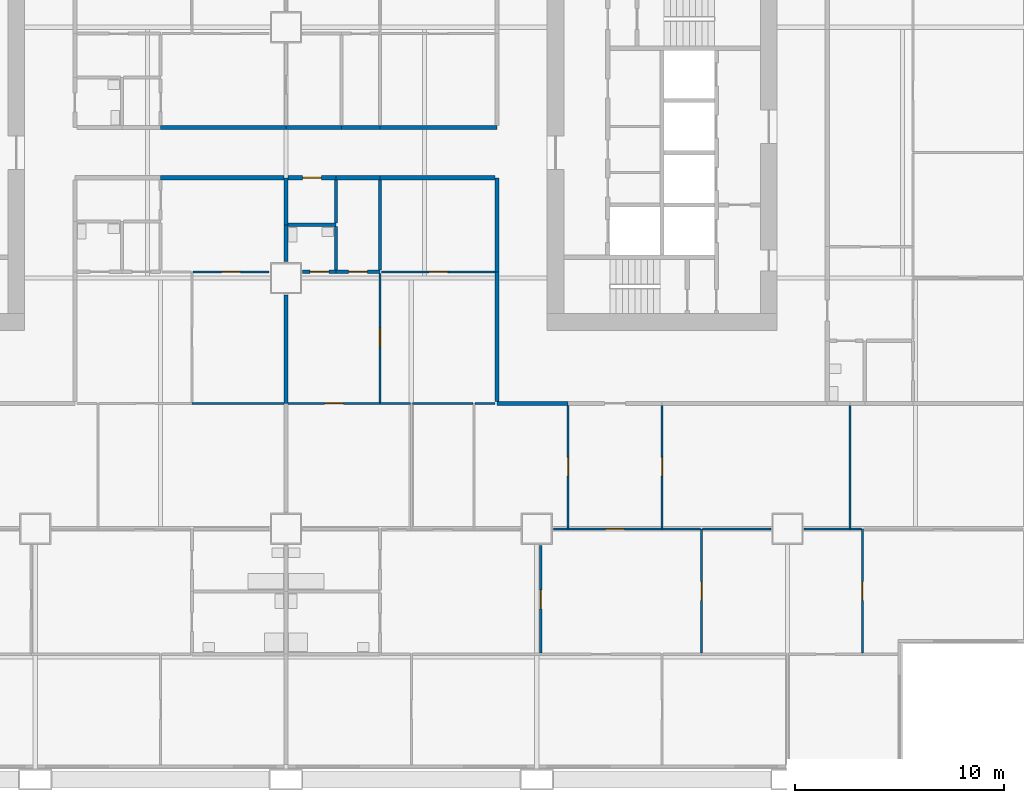
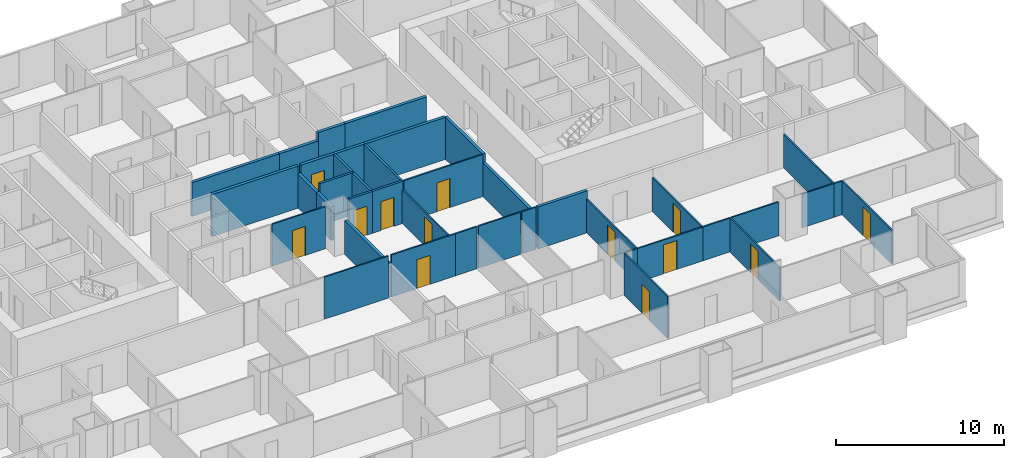
# One storey, part 6 of 14: 40 walls, 13 doors, 13 openings.
"""IFC4 building model written with IfcOpenShell, lengths in metres."""

from ifc_helpers import new_model, si_unit, direction, frame, frame_2d, origin, place, context, subcontext, project, spatial, rectangle, extrude, material, layer, layer_set, type_object, element, fill, save


model = new_model("IFC4")

# Units and contexts
model_context = context("Model", 3, precision=1e-05, world=origin(), true_north=direction((0.0, 1.0)))
body_context = subcontext(model_context, "Body", "Model", "MODEL_VIEW")
ifc_project = project(units=[si_unit("LENGTHUNIT", "METRE"), si_unit("AREAUNIT", "SQUARE_METRE"), si_unit("VOLUMEUNIT", "CUBIC_METRE"), si_unit("PLANEANGLEUNIT", "RADIAN"), si_unit("MASSUNIT", "GRAM", prefix="KILO")], contexts=[model_context])

# Site, building, storey
site_placement = place(None, origin())
site = spatial("IfcSite", under=ifc_project, at=site_placement, CompositionType="ELEMENT")
building_placement = place(site_placement, origin())
building = spatial("IfcBuilding", under=site, at=building_placement, Name="Kitamizu Gate Tower and Museum", CompositionType="ELEMENT")
storey_placement = place(building_placement, frame((0.0, 0.0, 61.050048828125)))
storey = spatial("IfcBuildingStorey", under=building, at=storey_placement, Name="L14", CompositionType="ELEMENT", Elevation=61.050048828125)

# Wall
ifc_material_1 = material(Name="Gypsum board on galvanised stud")
ifc_layer_1 = layer(ifc_material_1, 0.10009765625)
ifc_layer_set_1 = layer_set([ifc_layer_1], Name="Gypsum board on galvanised stud")
wall_type_1 = type_object("IfcWallType", Name="Partition 100 NOT RATED", PredefinedType="PARTITIONING", material=ifc_layer_set_1)
wall_1_placement = place(storey_placement, frame((35.89990234375, 18.0, 0.0), z_axis=(0.0, 0.0, 1.0), x_axis=(-1.0, 0.0, 0.0)))
element("IfcWall", 1, at=wall_1_placement, inside=storey, type_object=wall_type_1, Name="Partition L14-050", PredefinedType="PARTITIONING", context=body_context, shape_type="SweptSolid", body=[
    extrude(rectangle(XDim=4.39990234375, YDim=0.10009765625, at=frame_2d((2.199951171875, 0.0))), origin(), (0.0, 0.0, 1.0), 3.050048828125),
])

# Wall, opening, door
wall_2_placement = place(storey_placement, frame((35.199951171875, 24.300048828125, 0.0), z_axis=(0.0, 0.0, 1.0), x_axis=(-1.0, 0.0, 0.0)))
wall_2 = element("IfcWall", 2, at=wall_2_placement, inside=storey, type_object=wall_type_1, Name="Partition L14-058", PredefinedType="PARTITIONING", context=body_context, shape_type="SweptSolid", body=[
    extrude(rectangle(XDim=3.64990234375, YDim=0.10009765625, at=frame_2d((1.824951171875, 0.0))), origin(), (0.0, 0.0, 1.0), 3.050048828125),
])
opening_1_placement = place(wall_2_placement, frame((1.375, 0.0, 0.0)))
opening_1 = element("IfcOpeningElement", 3, at=opening_1_placement, cuts=wall_2, Name="Opening L14-023", PredefinedType="OPENING", context=body_context, shape_type="SweptSolid", body=[
    extrude(rectangle(XDim=0.89990234375, YDim=2.10009765625, at=frame_2d((0.449951171875, 1.050048828125))), frame((0.0, 0.06005859375, 0.0), z_axis=(0.0, -1.0, 0.0), x_axis=(1.0, 0.0, 0.0)), (0.0, 0.0, 1.0), 0.1201171875),
])
ifc_material_2 = material(Name="Timber door set", Category="wood")
door_type_1 = type_object("IfcDoorType", Name="Room door 900", OperationType="NOTDEFINED", PredefinedType="DOOR", material=ifc_material_2)
door_1_placement = place(opening_1_placement, frame((0.89990234375, 0.0, 0.0), x_axis=(-1.0, 0.0, 0.0)))
door_1 = element("IfcDoor", 4, at=door_1_placement, inside=storey, type_object=door_type_1, Name="Door L14-023", OperationType="SINGLE_SWING_LEFT", OverallHeight=2.10009765625, OverallWidth=0.89990234375, PredefinedType="DOOR", context=body_context, shape_type="SweptSolid", body=[
    extrude(rectangle(XDim=0.89990234375, YDim=2.10009765625, at=frame_2d((0.449951171875, 1.050048828125))), frame((0.0, 0.02490234375, 0.0), z_axis=(0.0, -1.0, 0.0), x_axis=(1.0, 0.0, 0.0)), (0.0, 0.0, 1.0), 0.050048828125),
])
fill(opening_1, door_1)

wall_3_placement = place(storey_placement, frame((48.195068359375, 6.050048828125, 0.0), z_axis=(0.0, 0.0, 1.0), x_axis=(0.0, 1.0, 0.0)))
wall_3 = element("IfcWall", 5, at=wall_3_placement, inside=storey, type_object=wall_type_1, Name="Partition L14-086", PredefinedType="PARTITIONING", context=body_context, shape_type="SweptSolid", body=[
    extrude(rectangle(XDim=5.14990234375, YDim=0.10009765625, at=frame_2d((2.574951171875, 0.0))), origin(), (0.0, 0.0, 1.0), 3.050048828125),
])
opening_2_placement = place(wall_3_placement, frame((2.125, 0.0, 0.0)))
opening_2 = element("IfcOpeningElement", 6, at=opening_2_placement, cuts=wall_3, Name="Opening L14-028", PredefinedType="OPENING", context=body_context, shape_type="SweptSolid", body=[
    extrude(rectangle(XDim=0.89990234375, YDim=2.10009765625, at=frame_2d((0.449951171875, 1.050048828125))), frame((0.0, 0.06005859375, 0.0), z_axis=(0.0, -1.0, 0.0), x_axis=(1.0, 0.0, 0.0)), (0.0, 0.0, 1.0), 0.1201171875),
])
door_2_placement = place(opening_2_placement, frame((0.89990234375, 0.0, 0.0), x_axis=(-1.0, 0.0, 0.0)))
door_2 = element("IfcDoor", 7, at=door_2_placement, inside=storey, type_object=door_type_1, Name="Door L14-028", OperationType="SINGLE_SWING_RIGHT", OverallHeight=2.10009765625, OverallWidth=0.89990234375, PredefinedType="DOOR", context=body_context, shape_type="SweptSolid", body=[
    extrude(rectangle(XDim=0.89990234375, YDim=2.10009765625, at=frame_2d((0.449951171875, 1.050048828125))), frame((0.0, 0.02490234375, 0.0), z_axis=(0.0, -1.0, 0.0), x_axis=(1.0, 0.0, 0.0)), (0.0, 0.0, 1.0), 0.050048828125),
])
fill(opening_2, door_2)

wall_4_placement = place(storey_placement, frame((55.889892578125, 6.050048828125, 0.0), z_axis=(0.0, 0.0, 1.0), x_axis=(0.0, 1.0, 0.0)))
wall_4 = element("IfcWall", 8, at=wall_4_placement, inside=storey, type_object=wall_type_1, Name="Partition L14-090", PredefinedType="PARTITIONING", context=body_context, shape_type="SweptSolid", body=[
    extrude(rectangle(XDim=5.949951171875, YDim=0.10009765625, at=frame_2d((2.97509765625, 0.0))), origin(), (0.0, 0.0, 1.0), 2.449951171875),
])
opening_3_placement = place(wall_4_placement, frame((2.52490234375, 0.0, 0.0)))
opening_3 = element("IfcOpeningElement", 9, at=opening_3_placement, cuts=wall_4, Name="Opening L14-029", PredefinedType="OPENING", context=body_context, shape_type="SweptSolid", body=[
    extrude(rectangle(XDim=0.89990234375, YDim=2.10009765625, at=frame_2d((0.449951171875, 1.050048828125))), frame((0.0, 0.06005859375, 0.0), z_axis=(0.0, -1.0, 0.0), x_axis=(1.0, 0.0, 0.0)), (0.0, 0.0, 1.0), 0.1201171875),
])
door_3_placement = place(opening_3_placement, frame((0.89990234375, 0.0, 0.0), x_axis=(-1.0, 0.0, 0.0)))
door_3 = element("IfcDoor", 10, at=door_3_placement, inside=storey, type_object=door_type_1, Name="Door L14-029", OperationType="SINGLE_SWING_LEFT", OverallHeight=2.10009765625, OverallWidth=0.89990234375, PredefinedType="DOOR", context=body_context, shape_type="SweptSolid", body=[
    extrude(rectangle(XDim=0.89990234375, YDim=2.10009765625, at=frame_2d((0.449951171875, 1.050048828125))), frame((0.0, 0.02490234375, 0.0), z_axis=(0.0, -1.0, 0.0), x_axis=(1.0, 0.0, 0.0)), (0.0, 0.0, 1.0), 0.050048828125),
])
fill(opening_3, door_3)

# Wall
wall_5_placement = place(storey_placement, frame((49.5, 12.0, 0.0), z_axis=(0.0, 0.0, 1.0), x_axis=(-1.0, 0.0, 0.0)))
element("IfcWall", 11, at=wall_5_placement, inside=storey, type_object=wall_type_1, Name="Partition L14-091", PredefinedType="PARTITIONING", context=body_context, shape_type="SweptSolid", body=[
    extrude(rectangle(XDim=0.699951171875, YDim=0.10009765625, at=frame_2d((0.35009765625, 0.0))), origin(), (0.0, 0.0, 1.0), 2.449951171875),
])

# Wall, opening, door
wall_6_placement = place(storey_placement, frame((54.0, 12.0, 0.0), z_axis=(0.0, 0.0, 1.0), x_axis=(-1.0, 0.0, 0.0)))
wall_6 = element("IfcWall", 12, at=wall_6_placement, inside=storey, type_object=wall_type_1, Name="Partition L14-092", PredefinedType="PARTITIONING", context=body_context, shape_type="SweptSolid", body=[
    extrude(rectangle(XDim=4.5, YDim=0.10009765625, at=frame_2d((2.25, 0.0))), origin(), (0.0, 0.0, 1.0), 2.449951171875),
])
opening_4_placement = place(wall_6_placement, frame((1.800048828125, 0.0, 0.0)))
opening_4 = element("IfcOpeningElement", 13, at=opening_4_placement, cuts=wall_6, Name="Opening L14-026", PredefinedType="OPENING", context=body_context, shape_type="SweptSolid", body=[
    extrude(rectangle(XDim=0.89990234375, YDim=2.10009765625, at=frame_2d((0.449951171875, 1.050048828125))), frame((0.0, 0.06005859375, 0.0), z_axis=(0.0, -1.0, 0.0), x_axis=(1.0, 0.0, 0.0)), (0.0, 0.0, 1.0), 0.1201171875),
])
door_4_placement = place(opening_4_placement, origin())
door_4 = element("IfcDoor", 14, at=door_4_placement, inside=storey, type_object=door_type_1, Name="Door L14-026", OperationType="SINGLE_SWING_LEFT", OverallHeight=2.10009765625, OverallWidth=0.89990234375, PredefinedType="DOOR", context=body_context, shape_type="SweptSolid", body=[
    extrude(rectangle(XDim=0.89990234375, YDim=2.10009765625, at=frame_2d((0.449951171875, 1.050048828125))), frame((0.0, 0.02490234375, 0.0), z_axis=(0.0, -1.0, 0.0), x_axis=(1.0, 0.0, 0.0)), (0.0, 0.0, 1.0), 0.050048828125),
])
fill(opening_4, door_4)

# Wall
wall_7_placement = place(storey_placement, frame((55.840087890625, 12.0, 0.0), z_axis=(0.0, 0.0, 1.0), x_axis=(-1.0, 0.0, 0.0)))
element("IfcWall", 15, at=wall_7_placement, inside=storey, type_object=wall_type_1, Name="Partition L14-093", PredefinedType="PARTITIONING", context=body_context, shape_type="SweptSolid", body=[
    extrude(rectangle(XDim=1.840087890625, YDim=0.10009765625, at=frame_2d((0.919921875, 0.0))), origin(), (0.0, 0.0, 1.0), 2.449951171875),
])

# Wall, opening, door
wall_8_placement = place(storey_placement, frame((63.5849609375, 6.050048828125, 0.0), z_axis=(0.0, 0.0, 1.0), x_axis=(0.0, 1.0, 0.0)))
wall_8 = element("IfcWall", 16, at=wall_8_placement, inside=storey, type_object=wall_type_1, Name="Partition L14-094", PredefinedType="PARTITIONING", context=body_context, shape_type="SweptSolid", body=[
    extrude(rectangle(XDim=5.949951171875, YDim=0.10009765625, at=frame_2d((2.97509765625, 0.0))), origin(), (0.0, 0.0, 1.0), 2.449951171875),
])
opening_5_placement = place(wall_8_placement, frame((2.52490234375, 0.0, 0.0)))
opening_5 = element("IfcOpeningElement", 17, at=opening_5_placement, cuts=wall_8, Name="Opening L14-030", PredefinedType="OPENING", context=body_context, shape_type="SweptSolid", body=[
    extrude(rectangle(XDim=0.89990234375, YDim=2.10009765625, at=frame_2d((0.449951171875, 1.050048828125))), frame((0.0, 0.06005859375, 0.0), z_axis=(0.0, -1.0, 0.0), x_axis=(1.0, 0.0, 0.0)), (0.0, 0.0, 1.0), 0.1201171875),
])
door_5_placement = place(opening_5_placement, frame((0.89990234375, 0.0, 0.0), x_axis=(-1.0, 0.0, 0.0)))
door_5 = element("IfcDoor", 18, at=door_5_placement, inside=storey, type_object=door_type_1, Name="Door L14-030", OperationType="SINGLE_SWING_RIGHT", OverallHeight=2.10009765625, OverallWidth=0.89990234375, PredefinedType="DOOR", context=body_context, shape_type="SweptSolid", body=[
    extrude(rectangle(XDim=0.89990234375, YDim=2.10009765625, at=frame_2d((0.449951171875, 1.050048828125))), frame((0.0, 0.02490234375, 0.0), z_axis=(0.0, -1.0, 0.0), x_axis=(1.0, 0.0, 0.0)), (0.0, 0.0, 1.0), 0.050048828125),
])
fill(opening_5, door_5)

# Walls
wall_9_placement = place(storey_placement, frame((59.199951171875, 12.0, 0.0), z_axis=(0.0, 0.0, 1.0), x_axis=(-1.0, 0.0, 0.0)))
element("IfcWall", 19, at=wall_9_placement, inside=storey, type_object=wall_type_1, Name="Partition L14-095", PredefinedType="PARTITIONING", context=body_context, shape_type="SweptSolid", body=[
    extrude(rectangle(XDim=3.260009765625, YDim=0.10009765625, at=frame_2d((1.6298828125, 0.0))), origin(), (0.0, 0.0, 1.0), 2.449951171875),
])
wall_10_placement = place(storey_placement, frame((63.0, 12.0, 0.0), z_axis=(0.0, 0.0, 1.0), x_axis=(-1.0, 0.0, 0.0)))
element("IfcWall", 20, at=wall_10_placement, inside=storey, type_object=wall_type_1, Name="Partition L14-096", PredefinedType="PARTITIONING", context=body_context, shape_type="SweptSolid", body=[
    extrude(rectangle(XDim=2.199951171875, YDim=0.10009765625, at=frame_2d((1.10009765625, 0.0))), origin(), (0.0, 0.0, 1.0), 2.449951171875),
])
wall_11_placement = place(storey_placement, frame((63.534912109375, 12.0, 0.0), z_axis=(0.0, 0.0, 1.0), x_axis=(-1.0, 0.0, 0.0)))
element("IfcWall", 21, at=wall_11_placement, inside=storey, type_object=wall_type_1, Name="Partition L14-097", PredefinedType="PARTITIONING", context=body_context, shape_type="SweptSolid", body=[
    extrude(rectangle(XDim=0.534912109375, YDim=0.10009765625, at=frame_2d((0.267578125, 0.0))), origin(), (0.0, 0.0, 1.0), 2.449951171875),
])

# Wall, opening, door
wall_12_placement = place(storey_placement, frame((40.5, 18.0, 0.0), z_axis=(0.0, 0.0, 1.0), x_axis=(-1.0, 0.0, 0.0)))
wall_12 = element("IfcWall", 22, at=wall_12_placement, inside=storey, type_object=wall_type_1, Name="Partition L14-100", PredefinedType="PARTITIONING", context=body_context, shape_type="SweptSolid", body=[
    extrude(rectangle(XDim=4.39990234375, YDim=0.10009765625, at=frame_2d((2.199951171875, 0.0))), origin(), (0.0, 0.0, 1.0), 3.050048828125),
])
opening_6_placement = place(wall_12_placement, frame((1.75, 0.0, 0.0)))
opening_6 = element("IfcOpeningElement", 23, at=opening_6_placement, cuts=wall_12, Name="Opening L14-041", PredefinedType="OPENING", context=body_context, shape_type="SweptSolid", body=[
    extrude(rectangle(XDim=0.89990234375, YDim=2.10009765625, at=frame_2d((0.449951171875, 1.050048828125))), frame((0.0, 0.06005859375, 0.0), z_axis=(0.0, -1.0, 0.0), x_axis=(1.0, 0.0, 0.0)), (0.0, 0.0, 1.0), 0.1201171875),
])
door_6_placement = place(opening_6_placement, frame((0.89990234375, 0.0, 0.0), x_axis=(-1.0, 0.0, 0.0)))
door_6 = element("IfcDoor", 24, at=door_6_placement, inside=storey, type_object=door_type_1, Name="Door L14-041", OperationType="SINGLE_SWING_LEFT", OverallHeight=2.10009765625, OverallWidth=0.89990234375, PredefinedType="DOOR", context=body_context, shape_type="SweptSolid", body=[
    extrude(rectangle(XDim=0.89990234375, YDim=2.10009765625, at=frame_2d((0.449951171875, 1.050048828125))), frame((0.0, 0.02490234375, 0.0), z_axis=(0.0, -1.0, 0.0), x_axis=(1.0, 0.0, 0.0)), (0.0, 0.0, 1.0), 0.050048828125),
])
fill(opening_6, door_6)

# Walls
wall_13_placement = place(storey_placement, frame((41.949951171875, 18.0, 0.0), z_axis=(0.0, 0.0, 1.0), x_axis=(-1.0, 0.0, 0.0)))
element("IfcWall", 25, at=wall_13_placement, inside=storey, type_object=wall_type_1, Name="Partition L14-101", PredefinedType="PARTITIONING", context=body_context, shape_type="SweptSolid", body=[
    extrude(rectangle(XDim=1.449951171875, YDim=0.10009765625, at=frame_2d((0.72509765625, 0.0))), origin(), (0.0, 0.0, 1.0), 3.050048828125),
])
wall_14_placement = place(storey_placement, frame((44.949951171875, 18.0, 0.0), z_axis=(0.0, 0.0, 1.0), x_axis=(-1.0, 0.0, 0.0)))
element("IfcWall", 26, at=wall_14_placement, inside=storey, type_object=wall_type_1, Name="Partition L14-103", PredefinedType="PARTITIONING", context=body_context, shape_type="SweptSolid", body=[
    extrude(rectangle(XDim=2.89990234375, YDim=0.10009765625, at=frame_2d((1.449951171875, 0.0))), origin(), (0.0, 0.0, 1.0), 3.050048828125),
])

# Wall, opening, door
wall_15_placement = place(storey_placement, frame((49.5, 12.050048828125, 0.0), z_axis=(0.0, 0.0, 1.0), x_axis=(0.0, 1.0, 0.0)))
wall_15 = element("IfcWall", 27, at=wall_15_placement, inside=storey, type_object=wall_type_1, Name="Partition L14-104", PredefinedType="PARTITIONING", context=body_context, shape_type="SweptSolid", body=[
    extrude(rectangle(XDim=5.849853515625, YDim=0.10009765625, at=frame_2d((2.9248046875, 0.0))), origin(), (0.0, 0.0, 1.0), 2.449951171875),
])
opening_7_placement = place(wall_15_placement, frame((2.47509765625, 0.0, 0.0)))
opening_7 = element("IfcOpeningElement", 28, at=opening_7_placement, cuts=wall_15, Name="Opening L14-038", PredefinedType="OPENING", context=body_context, shape_type="SweptSolid", body=[
    extrude(rectangle(XDim=0.89990234375, YDim=2.10009765625, at=frame_2d((0.449951171875, 1.050048828125))), frame((0.0, 0.06005859375, 0.0), z_axis=(0.0, -1.0, 0.0), x_axis=(1.0, 0.0, 0.0)), (0.0, 0.0, 1.0), 0.1201171875),
])
door_7_placement = place(opening_7_placement, origin())
door_7 = element("IfcDoor", 29, at=door_7_placement, inside=storey, type_object=door_type_1, Name="Door L14-038", OperationType="SINGLE_SWING_LEFT", OverallHeight=2.10009765625, OverallWidth=0.89990234375, PredefinedType="DOOR", context=body_context, shape_type="SweptSolid", body=[
    extrude(rectangle(XDim=0.89990234375, YDim=2.10009765625, at=frame_2d((0.449951171875, 1.050048828125))), frame((0.0, 0.02490234375, 0.0), z_axis=(0.0, -1.0, 0.0), x_axis=(1.0, 0.0, 0.0)), (0.0, 0.0, 1.0), 0.050048828125),
])
fill(opening_7, door_7)

# Wall
wall_16_placement = place(storey_placement, frame((46.0, 18.0, 0.0), z_axis=(0.0, 0.0, 1.0), x_axis=(-1.0, 0.0, 0.0)))
element("IfcWall", 30, at=wall_16_placement, inside=storey, type_object=wall_type_1, Name="Partition L14-105", PredefinedType="PARTITIONING", context=body_context, shape_type="SweptSolid", body=[
    extrude(rectangle(XDim=0.949951171875, YDim=0.10009765625, at=frame_2d((0.47509765625, 0.0))), origin(), (0.0, 0.0, 1.0), 3.050048828125),
])

# Wall, opening, door
wall_17_placement = place(storey_placement, frame((54.0, 12.050048828125, 0.0), z_axis=(0.0, 0.0, 1.0), x_axis=(0.0, 1.0, 0.0)))
wall_17 = element("IfcWall", 31, at=wall_17_placement, inside=storey, type_object=wall_type_1, Name="Partition L14-107", PredefinedType="PARTITIONING", context=body_context, shape_type="SweptSolid", body=[
    extrude(rectangle(XDim=5.849853515625, YDim=0.10009765625, at=frame_2d((2.9248046875, 0.0))), origin(), (0.0, 0.0, 1.0), 2.449951171875),
])
opening_8_placement = place(wall_17_placement, frame((2.47509765625, 0.0, 0.0)))
opening_8 = element("IfcOpeningElement", 32, at=opening_8_placement, cuts=wall_17, Name="Opening L14-039", PredefinedType="OPENING", context=body_context, shape_type="SweptSolid", body=[
    extrude(rectangle(XDim=0.89990234375, YDim=2.10009765625, at=frame_2d((0.449951171875, 1.050048828125))), frame((0.0, 0.06005859375, 0.0), z_axis=(0.0, -1.0, 0.0), x_axis=(1.0, 0.0, 0.0)), (0.0, 0.0, 1.0), 0.1201171875),
])
door_8_placement = place(opening_8_placement, frame((0.89990234375, 0.0, 0.0), x_axis=(-1.0, 0.0, 0.0)))
door_8 = element("IfcDoor", 33, at=door_8_placement, inside=storey, type_object=door_type_1, Name="Door L14-039", OperationType="SINGLE_SWING_LEFT", OverallHeight=2.10009765625, OverallWidth=0.89990234375, PredefinedType="DOOR", context=body_context, shape_type="SweptSolid", body=[
    extrude(rectangle(XDim=0.89990234375, YDim=2.10009765625, at=frame_2d((0.449951171875, 1.050048828125))), frame((0.0, 0.02490234375, 0.0), z_axis=(0.0, -1.0, 0.0), x_axis=(1.0, 0.0, 0.0)), (0.0, 0.0, 1.0), 0.050048828125),
])
fill(opening_8, door_8)

# Wall
wall_18_placement = place(storey_placement, frame((63.0, 12.050048828125, 0.0), z_axis=(0.0, 0.0, 1.0), x_axis=(0.0, 1.0, 0.0)))
element("IfcWall", 34, at=wall_18_placement, inside=storey, type_object=wall_type_1, Name="Partition L14-109", PredefinedType="PARTITIONING", context=body_context, shape_type="SweptSolid", body=[
    extrude(rectangle(XDim=5.849853515625, YDim=0.10009765625, at=frame_2d((2.9248046875, 0.0))), origin(), (0.0, 0.0, 1.0), 2.449951171875),
])

# Wall, opening, door
wall_19_placement = place(storey_placement, frame((40.5, 18.050048828125, 0.0), z_axis=(0.0, 0.0, 1.0), x_axis=(0.0, 1.0, 0.0)))
wall_19 = element("IfcWall", 35, at=wall_19_placement, inside=storey, type_object=wall_type_1, Name="Partition L14-115", PredefinedType="PARTITIONING", context=body_context, shape_type="SweptSolid", body=[
    extrude(rectangle(XDim=6.175048828125, YDim=0.10009765625, at=frame_2d((3.08740234375, 0.0))), origin(), (0.0, 0.0, 1.0), 2.449951171875),
])
opening_9_placement = place(wall_19_placement, frame((2.637451171875, 0.0, 0.0)))
opening_9 = element("IfcOpeningElement", 36, at=opening_9_placement, cuts=wall_19, Name="Opening L14-042", PredefinedType="OPENING", context=body_context, shape_type="SweptSolid", body=[
    extrude(rectangle(XDim=0.89990234375, YDim=2.10009765625, at=frame_2d((0.449951171875, 1.050048828125))), frame((0.0, 0.06005859375, 0.0), z_axis=(0.0, -1.0, 0.0), x_axis=(1.0, 0.0, 0.0)), (0.0, 0.0, 1.0), 0.1201171875),
])
door_9_placement = place(opening_9_placement, origin())
door_9 = element("IfcDoor", 37, at=door_9_placement, inside=storey, type_object=door_type_1, Name="Door L14-042", OperationType="SINGLE_SWING_LEFT", OverallHeight=2.10009765625, OverallWidth=0.89990234375, PredefinedType="DOOR", context=body_context, shape_type="SweptSolid", body=[
    extrude(rectangle(XDim=0.89990234375, YDim=2.10009765625, at=frame_2d((0.449951171875, 1.050048828125))), frame((0.0, 0.02490234375, 0.0), z_axis=(0.0, -1.0, 0.0), x_axis=(1.0, 0.0, 0.0)), (0.0, 0.0, 1.0), 0.050048828125),
])
fill(opening_9, door_9)

wall_20_placement = place(storey_placement, frame((46.0, 24.300048828125, 0.0), z_axis=(0.0, 0.0, 1.0), x_axis=(-1.0, 0.0, 0.0)))
wall_20 = element("IfcWall", 38, at=wall_20_placement, inside=storey, type_object=wall_type_1, Name="Partition L14-118", PredefinedType="PARTITIONING", context=body_context, shape_type="SweptSolid", body=[
    extrude(rectangle(XDim=5.425048828125, YDim=0.10009765625, at=frame_2d((2.71240234375, 0.0))), origin(), (0.0, 0.0, 1.0), 3.050048828125),
])
opening_10_placement = place(wall_20_placement, frame((2.262451171875, 0.0, 0.0)))
opening_10 = element("IfcOpeningElement", 39, at=opening_10_placement, cuts=wall_20, Name="Opening L14-045", PredefinedType="OPENING", context=body_context, shape_type="SweptSolid", body=[
    extrude(rectangle(XDim=0.89990234375, YDim=2.10009765625, at=frame_2d((0.449951171875, 1.050048828125))), frame((0.0, 0.06005859375, 0.0), z_axis=(0.0, -1.0, 0.0), x_axis=(1.0, 0.0, 0.0)), (0.0, 0.0, 1.0), 0.1201171875),
])
door_10_placement = place(opening_10_placement, frame((0.89990234375, 0.0, 0.0), x_axis=(-1.0, 0.0, 0.0)))
door_10 = element("IfcDoor", 40, at=door_10_placement, inside=storey, type_object=door_type_1, Name="Door L14-045", OperationType="SINGLE_SWING_LEFT", OverallHeight=2.10009765625, OverallWidth=0.89990234375, PredefinedType="DOOR", context=body_context, shape_type="SweptSolid", body=[
    extrude(rectangle(XDim=0.89990234375, YDim=2.10009765625, at=frame_2d((0.449951171875, 1.050048828125))), frame((0.0, 0.02490234375, 0.0), z_axis=(0.0, -1.0, 0.0), x_axis=(1.0, 0.0, 0.0)), (0.0, 0.0, 1.0), 0.050048828125),
])
fill(opening_10, door_10)

ifc_material_3 = material(Name="Gypsum board on galvanised stud")
ifc_layer_2 = layer(ifc_material_3, 0.14990234375)
ifc_layer_set_2 = layer_set([ifc_layer_2], Name="Gypsum board on galvanised stud")
wall_type_2 = type_object("IfcWallType", Name="Partition 150", PredefinedType="PARTITIONING", material=ifc_layer_set_2)
wall_21_placement = place(storey_placement, frame((38.39990234375, 24.300048828125, 0.0), z_axis=(0.0, 0.0, 1.0), x_axis=(-1.0, 0.0, 0.0)))
wall_21 = element("IfcWall", 41, at=wall_21_placement, inside=storey, type_object=wall_type_2, Name="Partition L14-116", PredefinedType="PARTITIONING", context=body_context, shape_type="SweptSolid", body=[
    extrude(rectangle(XDim=1.599853515625, YDim=0.14990234375, at=frame_2d((0.7998046875, 0.0))), origin(), (0.0, 0.0, 1.0), 3.050048828125),
])
opening_11_placement = place(wall_21_placement, frame((0.35009765625, 0.0, 0.0)))
opening_11 = element("IfcOpeningElement", 42, at=opening_11_placement, cuts=wall_21, Name="Opening L14-043", PredefinedType="OPENING", context=body_context, shape_type="SweptSolid", body=[
    extrude(rectangle(XDim=0.89990234375, YDim=2.10009765625, at=frame_2d((0.449951171875, 1.050048828125))), frame((0.0, 0.0849609375, 0.0), z_axis=(0.0, -1.0, 0.0), x_axis=(1.0, 0.0, 0.0)), (0.0, 0.0, 1.0), 0.169921875),
])
ifc_material_4 = material(Name="Timber door set", Category="wood")
door_type_2 = type_object("IfcDoorType", Name="Bathroom door 900", OperationType="NOTDEFINED", PredefinedType="DOOR", material=ifc_material_4)
door_11_placement = place(opening_11_placement, frame((0.89990234375, 0.0, 0.0), x_axis=(-1.0, 0.0, 0.0)))
door_11 = element("IfcDoor", 43, at=door_11_placement, inside=storey, type_object=door_type_2, Name="Bathroom door L14-043", OperationType="SINGLE_SWING_LEFT", OverallHeight=2.10009765625, OverallWidth=0.89990234375, PredefinedType="DOOR", context=body_context, shape_type="SweptSolid", body=[
    extrude(rectangle(XDim=0.89990234375, YDim=2.10009765625, at=frame_2d((0.449951171875, 1.050048828125))), frame((0.0, 0.02490234375, 0.0), z_axis=(0.0, -1.0, 0.0), x_axis=(1.0, 0.0, 0.0)), (0.0, 0.0, 1.0), 0.050048828125),
])
fill(opening_11, door_11)

wall_22_placement = place(storey_placement, frame((40.5, 24.300048828125, 0.0), z_axis=(0.0, 0.0, 1.0), x_axis=(-1.0, 0.0, 0.0)))
wall_22 = element("IfcWall", 44, at=wall_22_placement, inside=storey, type_object=wall_type_2, Name="Partition L14-117", PredefinedType="PARTITIONING", context=body_context, shape_type="SweptSolid", body=[
    extrude(rectangle(XDim=2.10009765625, YDim=0.14990234375, at=frame_2d((1.050048828125, 0.0))), origin(), (0.0, 0.0, 1.0), 3.050048828125),
])
opening_12_placement = place(wall_22_placement, frame((0.60009765625, 0.0, 0.0)))
opening_12 = element("IfcOpeningElement", 45, at=opening_12_placement, cuts=wall_22, Name="Opening L14-044", PredefinedType="OPENING", context=body_context, shape_type="SweptSolid", body=[
    extrude(rectangle(XDim=0.89990234375, YDim=2.10009765625, at=frame_2d((0.449951171875, 1.050048828125))), frame((0.0, 0.0849609375, 0.0), z_axis=(0.0, -1.0, 0.0), x_axis=(1.0, 0.0, 0.0)), (0.0, 0.0, 1.0), 0.169921875),
])
door_12_placement = place(opening_12_placement, frame((0.89990234375, 0.0, 0.0), x_axis=(-1.0, 0.0, 0.0)))
door_12 = element("IfcDoor", 46, at=door_12_placement, inside=storey, type_object=door_type_2, Name="Bathroom door L14-044", OperationType="SINGLE_SWING_RIGHT", OverallHeight=2.10009765625, OverallWidth=0.89990234375, PredefinedType="DOOR", context=body_context, shape_type="SweptSolid", body=[
    extrude(rectangle(XDim=0.89990234375, YDim=2.10009765625, at=frame_2d((0.449951171875, 1.050048828125))), frame((0.0, 0.02490234375, 0.0), z_axis=(0.0, -1.0, 0.0), x_axis=(1.0, 0.0, 0.0)), (0.0, 0.0, 1.0), 0.050048828125),
])
fill(opening_12, door_12)

# Walls
wall_23_placement = place(storey_placement, frame((38.39990234375, 26.550048828125, 0.0), z_axis=(0.0, 0.0, 1.0), x_axis=(-1.0, 0.0, 0.0)))
element("IfcWall", 47, at=wall_23_placement, inside=storey, type_object=wall_type_2, Name="Partition L14-120", PredefinedType="PARTITIONING", context=body_context, shape_type="SweptSolid", body=[
    extrude(rectangle(XDim=2.2998046875, YDim=0.14990234375, at=frame_2d((1.14990234375, 0.0))), origin(), (0.0, 0.0, 1.0), 3.050048828125),
])
wall_24_placement = place(storey_placement, frame((38.39990234375, 24.375, 0.0), z_axis=(0.0, 0.0, 1.0), x_axis=(0.0, 1.0, 0.0)))
element("IfcWall", 48, at=wall_24_placement, inside=storey, type_object=wall_type_2, Name="Partition L14-121", PredefinedType="PARTITIONING", context=body_context, shape_type="SweptSolid", body=[
    extrude(rectangle(XDim=2.10009765625, YDim=0.14990234375, at=frame_2d((1.050048828125, 0.0))), origin(), (0.0, 0.0, 1.0), 3.050048828125),
])
wall_25_placement = place(storey_placement, frame((38.39990234375, 26.625, 0.0), z_axis=(0.0, 0.0, 1.0), x_axis=(0.0, 1.0, 0.0)))
element("IfcWall", 49, at=wall_25_placement, inside=storey, type_object=wall_type_2, Name="Partition L14-122", PredefinedType="PARTITIONING", context=body_context, shape_type="SweptSolid", body=[
    extrude(rectangle(XDim=2.074951171875, YDim=0.14990234375, at=frame_2d((1.03759765625, 0.0))), origin(), (0.0, 0.0, 1.0), 3.050048828125),
])
wall_26_placement = place(storey_placement, frame((40.5, 24.375, 0.0), z_axis=(0.0, 0.0, 1.0), x_axis=(0.0, 1.0, 0.0)))
element("IfcWall", 50, at=wall_26_placement, inside=storey, type_object=wall_type_2, Name="Partition L14-124", PredefinedType="PARTITIONING", context=body_context, shape_type="SweptSolid", body=[
    extrude(rectangle(XDim=4.324951171875, YDim=0.14990234375, at=frame_2d((2.16259765625, 0.0))), origin(), (0.0, 0.0, 1.0), 3.050048828125),
])
ifc_material_5 = material(Name="Gypsum board on galvanised stud")
ifc_layer_3 = layer(ifc_material_5, 0.199951171875)
ifc_layer_set_3 = layer_set([ifc_layer_3], Name="Gypsum board on galvanised stud")
wall_type_3 = type_object("IfcWallType", Name="Partition 200", PredefinedType="PARTITIONING", material=ifc_layer_set_3)
wall_27_placement = place(storey_placement, frame((36.0, 18.0, 0.0), z_axis=(0.0, 0.0, 1.0), x_axis=(0.0, 1.0, 0.0)))
element("IfcWall", 51, at=wall_27_placement, inside=storey, type_object=wall_type_3, Name="Partition L14-059", PredefinedType="PARTITIONING", context=body_context, shape_type="SweptSolid", body=[
    extrude(rectangle(XDim=5.199951171875, YDim=0.199951171875, at=frame_2d((2.60009765625, 0.0))), origin(), (0.0, 0.0, 1.0), 2.449951171875),
])
wall_28_placement = place(storey_placement, frame((36.0, 24.800048828125, 0.0), z_axis=(0.0, 0.0, 1.0), x_axis=(0.0, 1.0, 0.0)))
element("IfcWall", 52, at=wall_28_placement, inside=storey, type_object=wall_type_3, Name="Partition L14-068", PredefinedType="PARTITIONING", context=body_context, shape_type="SweptSolid", body=[
    extrude(rectangle(XDim=1.75, YDim=0.199951171875, at=frame_2d((0.875, 0.0))), origin(), (0.0, 0.0, 1.0), 2.449951171875),
])
wall_29_placement = place(storey_placement, frame((36.0, 26.550048828125, 0.0), z_axis=(0.0, 0.0, 1.0), x_axis=(0.0, 1.0, 0.0)))
element("IfcWall", 53, at=wall_29_placement, inside=storey, type_object=wall_type_3, Name="Partition L14-069", PredefinedType="PARTITIONING", context=body_context, shape_type="SweptSolid", body=[
    extrude(rectangle(XDim=2.25, YDim=0.199951171875, at=frame_2d((1.125, 0.0))), origin(), (0.0, 0.0, 1.0), 2.449951171875),
])
wall_30_placement = place(storey_placement, frame((35.89990234375, 28.800048828125, 0.0), z_axis=(0.0, 0.0, 1.0), x_axis=(-1.0, 0.0, 0.0)))
element("IfcWall", 54, at=wall_30_placement, inside=storey, type_object=wall_type_3, Name="Partition L14-070", PredefinedType="PARTITIONING", context=body_context, shape_type="SweptSolid", body=[
    extrude(rectangle(XDim=5.89990234375, YDim=0.199951171875, at=frame_2d((2.949951171875, 0.0))), origin(), (0.0, 0.0, 1.0), 3.050048828125),
])
wall_31_placement = place(storey_placement, frame((49.5, 18.0, 0.0), z_axis=(0.0, 0.0, 1.0), x_axis=(-1.0, 0.0, 0.0)))
element("IfcWall", 55, at=wall_31_placement, inside=storey, type_object=wall_type_3, Name="Partition L14-106", PredefinedType="PARTITIONING", context=body_context, shape_type="SweptSolid", body=[
    extrude(rectangle(XDim=3.39990234375, YDim=0.199951171875, at=frame_2d((1.699951171875, 0.0))), origin(), (0.0, 0.0, 1.0), 3.050048828125),
])
wall_32_placement = place(storey_placement, frame((46.10009765625, 18.10009765625, 0.0), z_axis=(0.0, 0.0, 1.0), x_axis=(0.0, 1.0, 0.0)))
element("IfcWall", 56, at=wall_32_placement, inside=storey, type_object=wall_type_3, Name="Partition L14-119", PredefinedType="PARTITIONING", context=body_context, shape_type="SweptSolid", body=[
    extrude(rectangle(XDim=6.199951171875, YDim=0.199951171875, at=frame_2d((3.10009765625, 0.0))), origin(), (0.0, 0.0, 1.0), 2.449951171875),
])

# Wall, opening, door
wall_33_placement = place(storey_placement, frame((38.39990234375, 28.800048828125, 0.0), z_axis=(0.0, 0.0, 1.0), x_axis=(-1.0, 0.0, 0.0)))
wall_33 = element("IfcWall", 57, at=wall_33_placement, inside=storey, type_object=wall_type_3, Name="Partition L14-123", PredefinedType="PARTITIONING", context=body_context, shape_type="SweptSolid", body=[
    extrude(rectangle(XDim=2.2998046875, YDim=0.199951171875, at=frame_2d((1.14990234375, 0.0))), origin(), (0.0, 0.0, 1.0), 3.050048828125),
])
opening_13_placement = place(wall_33_placement, frame((0.699951171875, 0.0, 0.0)))
opening_13 = element("IfcOpeningElement", 58, at=opening_13_placement, cuts=wall_33, Name="Opening L14-046", PredefinedType="OPENING", context=body_context, shape_type="SweptSolid", body=[
    extrude(rectangle(XDim=0.89990234375, YDim=2.10009765625, at=frame_2d((0.449951171875, 1.050048828125))), frame((0.0, 0.10986328125, 0.0), z_axis=(0.0, -1.0, 0.0), x_axis=(1.0, 0.0, 0.0)), (0.0, 0.0, 1.0), 0.219970703125),
])
ifc_material_6 = material(Name="Timber door set", Category="wood")
door_type_3 = type_object("IfcDoorType", Name="Store door 900", OperationType="NOTDEFINED", PredefinedType="DOOR", material=ifc_material_6)
door_13_placement = place(opening_13_placement, origin())
door_13 = element("IfcDoor", 59, at=door_13_placement, inside=storey, type_object=door_type_3, Name="Service entrance door L14-046", OperationType="SINGLE_SWING_LEFT", OverallHeight=2.10009765625, OverallWidth=0.89990234375, PredefinedType="DOOR", context=body_context, shape_type="SweptSolid", body=[
    extrude(rectangle(XDim=0.89990234375, YDim=2.10009765625, at=frame_2d((0.449951171875, 1.050048828125))), frame((0.0, 0.02490234375, 0.0), z_axis=(0.0, -1.0, 0.0), x_axis=(1.0, 0.0, 0.0)), (0.0, 0.0, 1.0), 0.050048828125),
])
fill(opening_13, door_13)

# Walls
wall_34_placement = place(storey_placement, frame((40.5, 28.800048828125, 0.0), z_axis=(0.0, 0.0, 1.0), x_axis=(-1.0, 0.0, 0.0)))
element("IfcWall", 60, at=wall_34_placement, inside=storey, type_object=wall_type_3, Name="Partition L14-125", PredefinedType="PARTITIONING", context=body_context, shape_type="SweptSolid", body=[
    extrude(rectangle(XDim=2.10009765625, YDim=0.199951171875, at=frame_2d((1.050048828125, 0.0))), origin(), (0.0, 0.0, 1.0), 3.050048828125),
])
wall_35_placement = place(storey_placement, frame((46.10009765625, 24.300048828125, 0.0), z_axis=(0.0, 0.0, 1.0), x_axis=(0.0, 1.0, 0.0)))
element("IfcWall", 61, at=wall_35_placement, inside=storey, type_object=wall_type_3, Name="Partition L14-126", PredefinedType="PARTITIONING", context=body_context, shape_type="SweptSolid", body=[
    extrude(rectangle(XDim=4.5, YDim=0.199951171875, at=frame_2d((2.25, 0.0))), origin(), (0.0, 0.0, 1.0), 3.050048828125),
])
wall_36_placement = place(storey_placement, frame((46.0, 28.800048828125, 0.0), z_axis=(0.0, 0.0, 1.0), x_axis=(-1.0, 0.0, 0.0)))
element("IfcWall", 62, at=wall_36_placement, inside=storey, type_object=wall_type_3, Name="Partition L14-127", PredefinedType="PARTITIONING", context=body_context, shape_type="SweptSolid", body=[
    extrude(rectangle(XDim=5.5, YDim=0.199951171875, at=frame_2d((2.75, 0.0))), origin(), (0.0, 0.0, 1.0), 3.050048828125),
])
wall_37_placement = place(storey_placement, frame((30.0, 31.199951171875, 0.0), z_axis=(0.0, 0.0, 1.0), x_axis=(1.0, 0.0, 0.0)))
element("IfcWall", 63, at=wall_37_placement, inside=storey, type_object=wall_type_3, Name="Partition L14-193", PredefinedType="PARTITIONING", context=body_context, shape_type="SweptSolid", body=[
    extrude(rectangle(XDim=6.0, YDim=0.199951171875, at=frame_2d((3.0, 0.0))), origin(), (0.0, 0.0, 1.0), 2.449951171875),
])
wall_38_placement = place(storey_placement, frame((36.0, 31.199951171875, 0.0), z_axis=(0.0, 0.0, 1.0), x_axis=(1.0, 0.0, 0.0)))
element("IfcWall", 64, at=wall_38_placement, inside=storey, type_object=wall_type_3, Name="Partition L14-202", PredefinedType="PARTITIONING", context=body_context, shape_type="SweptSolid", body=[
    extrude(rectangle(XDim=2.6669921875, YDim=0.199951171875, at=frame_2d((1.33349609375, 0.0))), origin(), (0.0, 0.0, 1.0), 2.449951171875),
])
wall_39_placement = place(storey_placement, frame((38.6669921875, 31.199951171875, 0.0), z_axis=(0.0, 0.0, 1.0), x_axis=(1.0, 0.0, 0.0)))
element("IfcWall", 65, at=wall_39_placement, inside=storey, type_object=wall_type_3, Name="Partition L14-204", PredefinedType="PARTITIONING", context=body_context, shape_type="SweptSolid", body=[
    extrude(rectangle(XDim=1.8330078125, YDim=0.199951171875, at=frame_2d((0.91650390625, 0.0))), origin(), (0.0, 0.0, 1.0), 3.050048828125),
])
wall_40_placement = place(storey_placement, frame((40.5, 31.199951171875, 0.0), z_axis=(0.0, 0.0, 1.0), x_axis=(1.0, 0.0, 0.0)))
element("IfcWall", 66, at=wall_40_placement, inside=storey, type_object=wall_type_3, Name="Partition L14-205", PredefinedType="PARTITIONING", context=body_context, shape_type="SweptSolid", body=[
    extrude(rectangle(XDim=5.60009765625, YDim=0.199951171875, at=frame_2d((2.800048828125, 0.0))), origin(), (0.0, 0.0, 1.0), 3.050048828125),
])

save(model, "model.ifc")
